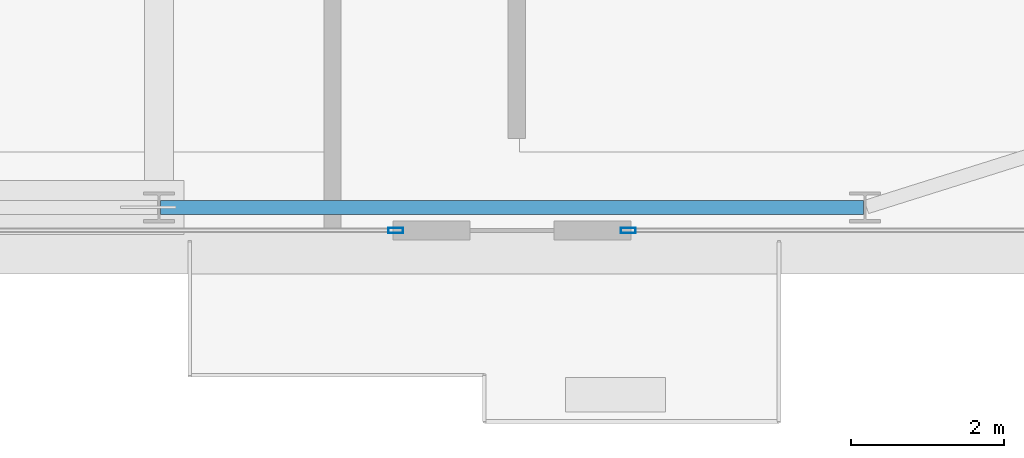
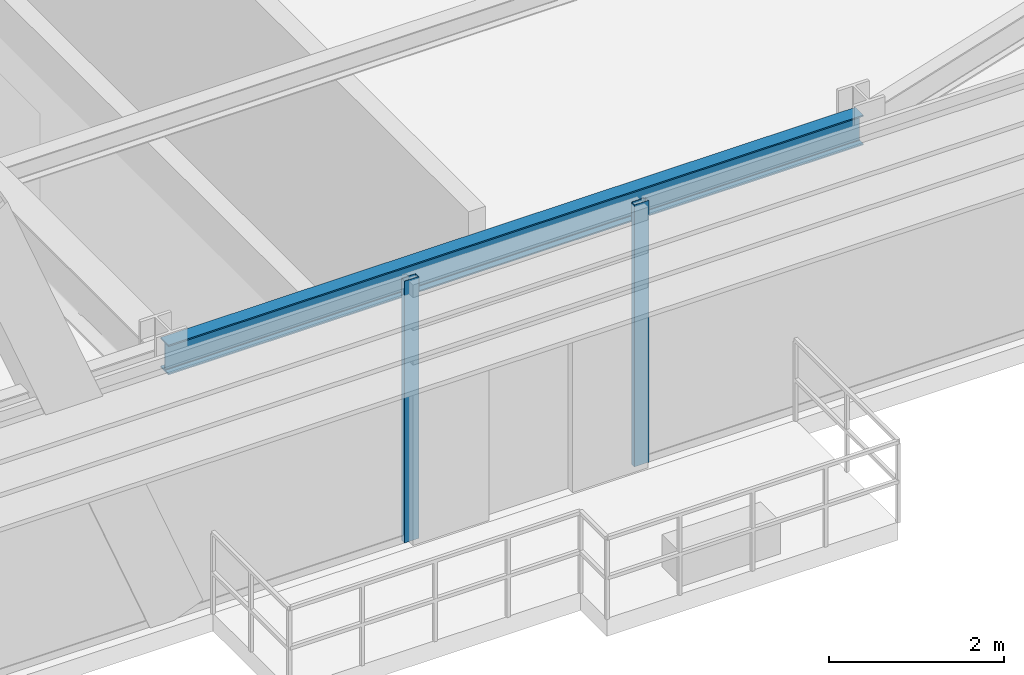
# One storey, part 13 of 32: 2 members, 1 beam, 2 elements without a shape of their own.
"""IFC4 building model written with IfcOpenShell, lengths in metres."""

from ifc_helpers import new_model, si_unit, direction, frame, origin, origin_2d, place, context, subcontext, project, spatial, hollow_rectangle, i_section, extrude, source, transform, mapped, material, layer, layer_set, material_profile, profile_set, type_object, type_shapes, element, aggregate, save


model = new_model("IFC4")

# Units and contexts
model_context = context("Model", 3, precision=1e-05, world=origin(), true_north=direction((0.0, 1.0)))
body_context = subcontext(model_context, "Body", "Model", "MODEL_VIEW")
ifc_project = project(units=[si_unit("LENGTHUNIT", "METRE"), si_unit("AREAUNIT", "SQUARE_METRE"), si_unit("VOLUMEUNIT", "CUBIC_METRE"), si_unit("PLANEANGLEUNIT", "RADIAN"), si_unit("MASSUNIT", "GRAM", prefix="KILO")], contexts=[model_context])

# Site, building, storey
site_placement = place(None, origin())
site = spatial("IfcSite", under=ifc_project, at=site_placement, CompositionType="ELEMENT")
building_placement = place(site_placement, origin())
building = spatial("IfcBuilding", under=site, at=building_placement, Name="Varnel Quay Broadcast Tower", CompositionType="ELEMENT")
storey_placement = place(building_placement, frame((0.0, 0.0, 58.800048828125)))
storey = spatial("IfcBuildingStorey", under=building, at=storey_placement, Name="L13", CompositionType="ELEMENT", Elevation=58.800048828125)

# Beam
ifc_material_1 = material(Name="Structural Steel CSA G40.21 350W", Category="steel")
ifc_material_profile_1 = material_profile(ifc_material_1, i_section(OverallWidth=0.180908203125, OverallDepth=0.4169921875, WebThickness=0.010986328125, FlangeThickness=0.018310546875, FilletRadius=0.011962890625, at=origin_2d()), Name="W410X85")
ifc_profile_set_1 = profile_set([ifc_material_profile_1], Name="Structural Steel CSA G40.21 350W")
beam_type = type_object("IfcBeamType", Name="Beam_W410X85", PredefinedType="SPANDREL", material=ifc_profile_set_1)
shared_shape_1 = source(origin(), body_context, "Body", "SweptSolid", [
    extrude(i_section(OverallWidth=0.180908203125, OverallDepth=0.4169921875, WebThickness=0.010986328125, FlangeThickness=0.018310546875, FilletRadius=0.011962890625, at=origin_2d()), origin(), (0.0, 0.0, 1.0), 9.159912109375),
])
type_shapes(beam_type, [shared_shape_1])
beam_placement = place(storey_placement, frame((43.219970703125, 1.64990234375, 3.44140625), z_axis=(1.0, 0.0, 0.0), x_axis=(0.0, 1.0, 0.0)))
element("IfcBeam", 1, at=beam_placement, inside=storey, type_object=beam_type, Name="L13 South Spandrel TC-S4-TC-S5", PredefinedType="SPANDREL", context=body_context, shape_type="MappedRepresentation", body=[
    mapped(shared_shape_1, transform((0.0, 0.0, 0.0), x_axis=(1.0, 0.0, 0.0), y_axis=(0.0, 1.0, 0.0), z_axis=(0.0, 0.0, 1.0), scale=1.0)),
])

# Curtain wall, member
ifc_material_2 = material(Name="Anodised Bronze Aluminium 6063-T6", Category="aluminium")
ifc_layer = layer(ifc_material_2, 0.18994140625, Name="Anodised Bronze Aluminium 6063-T6")
ifc_layer_set = layer_set([ifc_layer], Name="Anodised Bronze Aluminium 6063-T6")
curtain_wall_type = type_object("IfcCurtainWallType", Name="CW_LowerTower", PredefinedType="NOTDEFINED", material=ifc_layer_set)
curtain_wall_1_placement = place(storey_placement, origin())
curtain_wall_1 = element("IfcCurtainWall", 2, at=curtain_wall_1_placement, inside=storey, type_object=curtain_wall_type, Name="L13 South Unitised Curtain Wall 2", PredefinedType="NOTDEFINED")
ifc_material_profile_2 = material_profile(ifc_material_2, hollow_rectangle(XDim=0.070068359375, YDim=0.18994140625, WallThickness=0.00390625, at=origin_2d()), Name="ALU70X190X4")
ifc_profile_set_2 = profile_set([ifc_material_profile_2], Name="Anodised Bronze Aluminium 6063-T6")
member_type = type_object("IfcMemberType", Name="Mull_CWS-02", PredefinedType="MULLION", material=ifc_profile_set_2)
shared_shape_2 = source(origin(), body_context, "Body", "SweptSolid", [
    extrude(hollow_rectangle(XDim=0.070068359375, YDim=0.18994140625, WallThickness=0.00390625, at=origin_2d()), origin(), (0.0, 0.0, 1.0), 3.64990234375),
])
type_shapes(member_type, [shared_shape_2])
member_1_placement = place(storey_placement, frame((46.284912109375, 1.35009765625, 0.0), z_axis=(0.0, 0.0, 1.0), x_axis=(0.0, 1.0, 0.0)))
member_1 = element("IfcMember", 3, at=member_1_placement, type_object=member_type, Name="CWS-02 mullion 3", PredefinedType="MULLION", context=body_context, shape_type="MappedRepresentation", body=[
    mapped(shared_shape_2, transform((0.0, 0.0, 0.0), x_axis=(1.0, 0.0, 0.0), y_axis=(0.0, 1.0, 0.0), z_axis=(0.0, 0.0, 1.0), scale=1.0)),
])
aggregate(curtain_wall_1, [member_1])

curtain_wall_2_placement = place(storey_placement, origin())
curtain_wall_2 = element("IfcCurtainWall", 4, at=curtain_wall_2_placement, inside=storey, type_object=curtain_wall_type, Name="L13 South Unitised Curtain Wall 3", PredefinedType="NOTDEFINED")
member_2_placement = place(storey_placement, frame((49.31494140625, 1.35009765625, 0.0), z_axis=(0.0, 0.0, 1.0), x_axis=(0.0, 1.0, 0.0)))
member_2 = element("IfcMember", 5, at=member_2_placement, type_object=member_type, Name="CWS-02 mullion 1", PredefinedType="MULLION", context=body_context, shape_type="MappedRepresentation", body=[
    mapped(shared_shape_2, transform((0.0, 0.0, 0.0), x_axis=(1.0, 0.0, 0.0), y_axis=(0.0, 1.0, 0.0), z_axis=(0.0, 0.0, 1.0), scale=1.0)),
])
aggregate(curtain_wall_2, [member_2])

save(model, "model.ifc")
